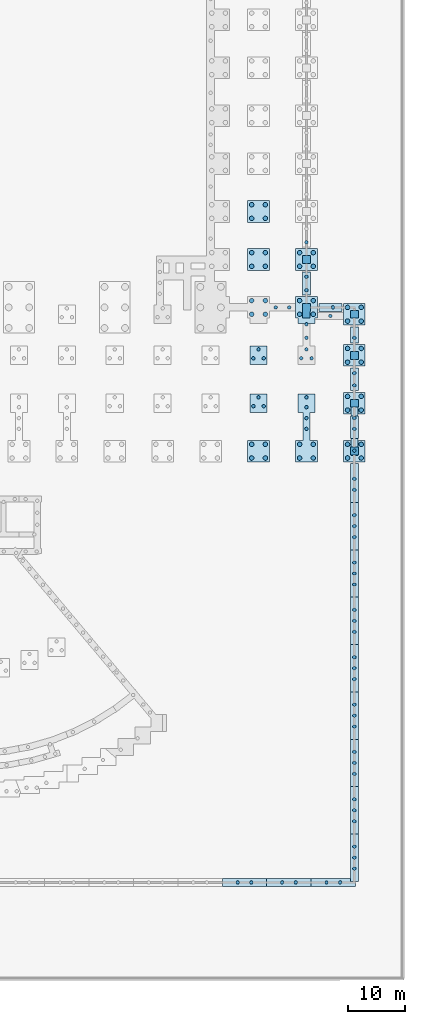
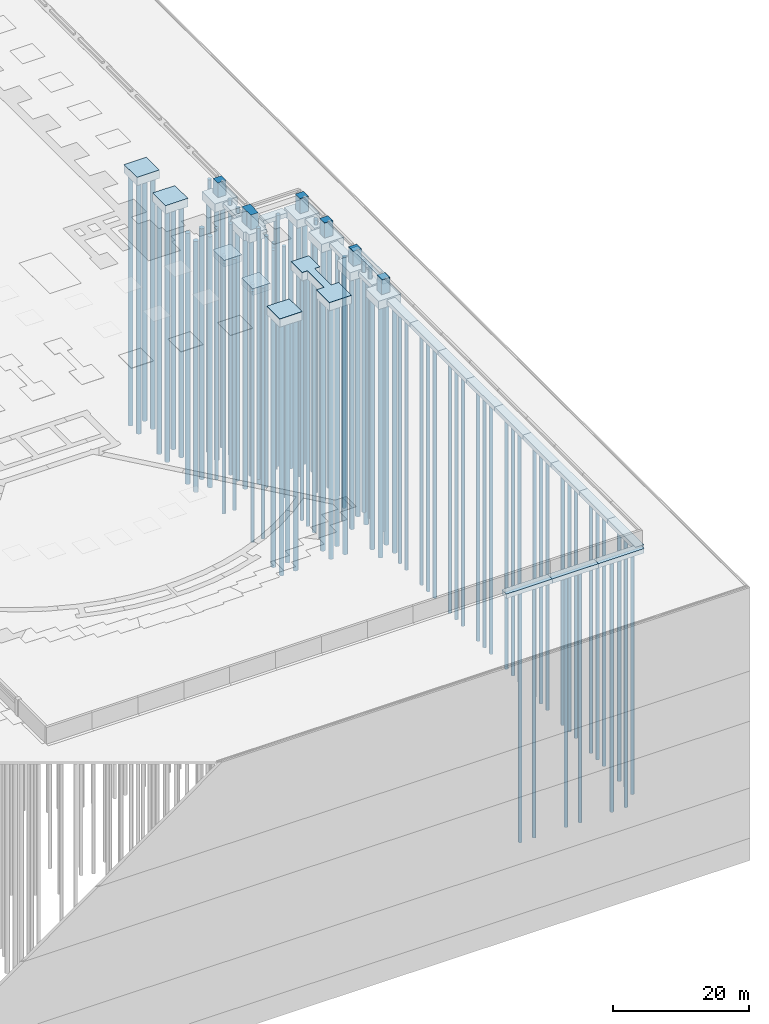
# One storey, part 19 of 67: 104 piles, 36 footings.
"""IFC4 building model written with IfcOpenShell, lengths in metres."""

from ifc_helpers import new_model, si_unit, direction, frame, origin, origin_2d, place, context, subcontext, project, spatial, polyline, circle, outline, extrude, material, material_profile, profile_set, type_object, element, save


model = new_model("IFC4")

# Units and contexts
model_context = context("Model", 3, precision=1e-05, world=origin(), true_north=direction((0.0, 1.0)))
body_context = subcontext(model_context, "Body", "Model", "MODEL_VIEW")
ifc_project = project(units=[si_unit("LENGTHUNIT", "METRE"), si_unit("AREAUNIT", "SQUARE_METRE"), si_unit("VOLUMEUNIT", "CUBIC_METRE"), si_unit("PLANEANGLEUNIT", "RADIAN"), si_unit("MASSUNIT", "GRAM", prefix="KILO")], contexts=[model_context])

# Site, building, storey
site_placement = place(None, origin())
site = spatial("IfcSite", under=ifc_project, at=site_placement, CompositionType="ELEMENT")
building_placement = place(site_placement, origin())
building = spatial("IfcBuilding", under=site, at=building_placement, Name="Rain Tree Exposition and Congress Centre", CompositionType="ELEMENT")
storey_placement = place(building_placement, frame((0.0, 0.0, -3.0)))
storey = spatial("IfcBuildingStorey", under=building, at=storey_placement, Name="B1", CompositionType="ELEMENT", Elevation=-3.0)

# Piles
ifc_material_1 = material(Name="Concrete C35/45", Category="concrete")
ifc_material_profile_1 = material_profile(ifc_material_1, circle(Radius=0.300048828125, at=origin_2d()), Name="D600")
ifc_profile_set_1 = profile_set([ifc_material_profile_1], Name="Concrete C35/45")
pile_type_1 = type_object("IfcPileType", Name="Bored pile D600", PredefinedType="BORED", material=ifc_profile_set_1)
for number, where, z_axis, x_axis, name in (
    (1, (259.5, 91.88037109375, 0.92578125), (0.0, 0.0, -1.0), (1.0, 0.0, 0.0), "Bored pile 2090"),
    (2, (261.300048828125, 91.88037109375, 0.92578125), (0.0, 0.0, -1.0), (1.0, 0.0, 0.0), "Bored pile 2091"),
    (3, (260.39990234375, 93.439208984375, 0.92578125), (0.0, 0.0, -1.0), (1.0, 0.0, 0.0), "Bored pile 2092"),
    (4, (260.39990234375, 97.833251953125, 0.92578125), (0.0, 0.0, -1.0), (1.0, 0.0, 0.0), "Bored pile 2093"),
    (5, (260.39990234375, 95.466796875, 0.92578125), (0.0, 0.0, -1.0), (1.0, 0.0, 0.0), "Bored pile 2094"),
    (6, (268.800048828125, 95.466796875, 0.92578125), (0.0, 0.0, -1.0), (1.0, 0.0, 0.0), "Bored pile 2095"),
    (7, (264.60009765625, 99.300048828125, 0.92578125), (0.0, 0.0, -1.0), (1.0, 0.0, 0.0), "Bored pile 2096"),
    (8, (255.0166015625, 100.800048828125, 0.92578125), (0.0, 0.0, -1.0), (1.0, 0.0, 0.0), "Bored pile 2100"),
    (9, (257.38330078125, 100.800048828125, 0.92578125), (0.0, 0.0, -1.0), (1.0, 0.0, 0.0), "Bored pile 2101"),
    (10, (260.39990234375, 103.816650390625, 0.92578125), (0.0, 0.0, -1.0), (1.0, 0.0, 0.0), "Bored pile 2102"),
    (11, (260.39990234375, 106.183349609375, 0.92578125), (0.0, 0.0, -1.0), (1.0, 0.0, 0.0), "Bored pile 2103"),
    (12, (260.39990234375, 112.216796875, 0.92578125), (0.0, 0.0, -1.0), (1.0, 0.0, 0.0), "Bored pile 2108"),
    (13, (260.39990234375, 79.5, 1.27490234375), (0.0, 0.0, -1.0), (1.0, 0.0, 0.0), "Bored pile 2374"),
    (14, (260.39990234375, 81.39990234375, 1.27490234375), (0.0, 0.0, -1.0), (1.0, 0.0, 0.0), "Bored pile 2375"),
    (15, (260.39990234375, 83.300048828125, 1.27490234375), (0.0, 0.0, -1.0), (1.0, 0.0, 0.0), "Bored pile 2376"),
    (16, (260.39990234375, 85.039306640625, 1.27490234375), (0.0, 0.0, -1.0), (1.0, 0.0, 0.0), "Bored pile 2377"),
    (17, (268.800048828125, 75.699951171875, 1.97509765625), (0.0, 0.0, -1.0), (1.0, 0.0, 0.0), "Bored pile 2394"),
    (18, (268.800048828125, 79.5, 1.97509765625), (0.0, 0.0, -1.0), (1.0, 0.0, 0.0), "Bored pile 2395"),
    (19, (268.800048828125, 81.39990234375, 1.97509765625), (0.0, 0.0, -1.0), (1.0, 0.0, 0.0), "Bored pile 2396"),
    (20, (251.10009765625, 83.480224609375, 1.574951171875), (0.0, 0.0, -1.0), (1.0, 0.0, 0.0), "Bored pile 2406"),
    (21, (252.89990234375, 83.480224609375, 1.574951171875), (0.0, 0.0, -1.0), (1.0, 0.0, 0.0), "Bored pile 2407"),
    (22, (252.0, 85.039306640625, 1.574951171875), (0.0, 0.0, -1.0), (1.0, 0.0, 0.0), "Bored pile 2408"),
    (23, (251.10009765625, 91.88037109375, 1.574951171875), (0.0, 0.0, -1.0), (1.0, 0.0, 0.0), "Bored pile 2418"),
    (24, (252.89990234375, 91.88037109375, 1.574951171875), (0.0, 0.0, -1.0), (1.0, 0.0, 0.0), "Bored pile 2419"),
    (25, (252.0, 93.439208984375, 1.574951171875), (0.0, 0.0, -1.0), (1.0, 0.0, 0.0), "Bored pile 2420"),
    (26, (265.050048828125, 100.800048828125, -0.72509765625), (0.0, 0.0, -1.0), (1.0, 0.0, 0.0), "Bored pile 2535"),
    (27, (268.800048828125, 89.2666015625, -0.72509765625), (0.0, 0.0, -1.0), (1.0, 0.0, 0.0), "Bored pile 2536"),
    (28, (268.800048828125, 87.13330078125, -0.72509765625), (0.0, 0.0, -1.0), (1.0, 0.0, 0.0), "Bored pile 2537"),
    (29, (268.800048828125, 70.75, -0.72509765625), (0.0, 0.0, -1.0), (1.0, 0.0, 0.0), "Bored pile 2538"),
    (30, (268.800048828125, 68.824951171875, -0.72509765625), (0.0, 0.0, -1.0), (1.0, 0.0, 0.0), "Bored pile 2539"),
    (31, (268.800048828125, 64.375, -0.72509765625), (0.0, 0.0, -1.0), (1.0, 0.0, 0.0), "Bored pile 2540"),
    (32, (268.800048828125, 62.449951171875, -0.72509765625), (0.0, 0.0, -1.0), (1.0, 0.0, 0.0), "Bored pile 2541"),
    (33, (268.800048828125, 60.52490234375, -0.72509765625), (0.0, 0.0, -1.0), (1.0, 0.0, 0.0), "Bored pile 2542"),
    (34, (268.800048828125, 56.074951171875, -0.72509765625), (0.0, 0.0, -1.0), (1.0, 0.0, 0.0), "Bored pile 2543"),
    (35, (268.800048828125, 54.14990234375, -0.72509765625), (0.0, 0.0, -1.0), (1.0, 0.0, 0.0), "Bored pile 2544"),
    (36, (268.800048828125, 52.22509765625, -0.72509765625), (0.0, 0.0, -1.0), (1.0, 0.0, 0.0), "Bored pile 2545"),
    (37, (268.800048828125, 47.77490234375, -0.72509765625), (0.0, 0.0, -1.0), (1.0, 0.0, 0.0), "Bored pile 2546"),
    (38, (268.800048828125, 45.85009765625, -0.72509765625), (0.0, 0.0, -1.0), (1.0, 0.0, 0.0), "Bored pile 2547"),
    (39, (268.800048828125, 43.925048828125, -0.72509765625), (0.0, 0.0, -1.0), (1.0, 0.0, 0.0), "Bored pile 2548"),
    (40, (268.800048828125, 39.47509765625, -0.72509765625), (0.0, 0.0, -1.0), (1.0, 0.0, 0.0), "Bored pile 2549"),
    (41, (268.800048828125, 37.550048828125, -0.72509765625), (0.0, 0.0, -1.0), (1.0, 0.0, 0.0), "Bored pile 2550"),
    (42, (268.800048828125, 35.625, -0.72509765625), (0.0, 0.0, -1.0), (1.0, 0.0, 0.0), "Bored pile 2551"),
    (43, (268.800048828125, 31.175048828125, -0.72509765625), (0.0, 0.0, -1.0), (1.0, 0.0, 0.0), "Bored pile 2552"),
    (44, (268.800048828125, 29.25, -0.72509765625), (0.0, 0.0, -1.0), (1.0, 0.0, 0.0), "Bored pile 2553"),
    (45, (268.800048828125, 27.324951171875, -0.72509765625), (0.0, 0.0, -1.0), (1.0, 0.0, 0.0), "Bored pile 2554"),
    (46, (268.800048828125, 22.875, -0.72509765625), (0.0, 0.0, -1.0), (1.0, 0.0, 0.0), "Bored pile 2555"),
    (47, (268.800048828125, 20.949951171875, -0.72509765625), (0.0, 0.0, -1.0), (1.0, 0.0, 0.0), "Bored pile 2556"),
    (48, (268.800048828125, 19.02490234375, -0.72509765625), (0.0, 0.0, -1.0), (1.0, 0.0, 0.0), "Bored pile 2557"),
    (49, (268.800048828125, 14.574951171875, -0.72509765625), (0.0, 0.0, -1.0), (1.0, 0.0, 0.0), "Bored pile 2558"),
    (50, (268.800048828125, 12.64990234375, -0.72509765625), (0.0, 0.0, -1.0), (1.0, 0.0, 0.0), "Bored pile 2559"),
    (51, (268.800048828125, 10.72509765625, -0.72509765625), (0.0, 0.0, -1.0), (1.0, 0.0, 0.0), "Bored pile 2560"),
    (52, (268.800048828125, 6.27490234375, -0.72509765625), (0.0, 0.0, -1.0), (1.0, 0.0, 0.0), "Bored pile 2561"),
    (53, (268.800048828125, 4.35009765625, -0.72509765625), (0.0, 0.0, -1.0), (1.0, 0.0, 0.0), "Bored pile 2562"),
    (54, (268.800048828125, 2.425048828125, -0.72509765625), (0.0, 0.0, -1.0), (1.0, 0.0, 0.0), "Bored pile 2563"),
    (55, (266.30517578125, 0.0, -0.72509765625), (0.0, 0.0, -1.0), (1.0, 0.0, 0.0), "Bored pile 2564"),
    (56, (263.910400390625, 0.0, -0.72509765625), (0.0, 0.0, -1.0), (1.0, 0.0, 0.0), "Bored pile 2565"),
    (57, (258.5205078125, 0.0, -0.72509765625), (0.0, 0.0, -1.0), (1.0, 0.0, 0.0), "Bored pile 2566"),
    (58, (256.12548828125, 0.0, -0.72509765625), (0.0, 0.0, -1.0), (1.0, 0.0, 0.0), "Bored pile 2567"),
    (59, (250.73583984375, 0.0, -0.72509765625), (0.0, 0.0, -1.0), (1.0, 0.0, 0.0), "Bored pile 2568"),
    (60, (248.341064453125, 0.0, -0.72509765625), (0.0, 0.0, -1.0), (1.0, 0.0, 0.0), "Bored pile 2569"),
):
    element("IfcPile", number, at=place(storey_placement, frame(where, z_axis=z_axis, x_axis=x_axis)), inside=storey, type_object=pile_type_1, Name=name, PredefinedType="BORED", context=body_context, shape_type="SweptSolid", body=[
        extrude(circle(Radius=0.300048828125, at=origin_2d()), origin(), (0.0, 0.0, 1.0), 45.074951171875),
    ])
ifc_material_2 = material(Name="Concrete C35/45", Category="concrete")
ifc_material_profile_2 = material_profile(ifc_material_2, circle(Radius=0.39990234375, at=origin_2d()), Name="D800")
ifc_profile_set_2 = profile_set([ifc_material_profile_2], Name="Concrete C35/45")
pile_type_2 = type_object("IfcPileType", Name="Bored pile D800", PredefinedType="BORED", material=ifc_profile_set_2)
for number, where, z_axis, x_axis, name in (
    (61, (267.60009765625, 74.39990234375, -1.425048828125), (0.0, 0.0, -1.0), (1.0, 0.0, 0.0), "Bored pile 1314"),
    (62, (270.0, 74.39990234375, -1.425048828125), (0.0, 0.0, -1.0), (1.0, 0.0, 0.0), "Bored pile 1315"),
    (63, (267.60009765625, 76.800048828125, -1.425048828125), (0.0, 0.0, -1.0), (1.0, 0.0, 0.0), "Bored pile 1316"),
    (64, (270.0, 76.800048828125, -1.425048828125), (0.0, 0.0, -1.0), (1.0, 0.0, 0.0), "Bored pile 1317"),
    (65, (267.60009765625, 82.800048828125, -1.425048828125), (0.0, 0.0, -1.0), (1.0, 0.0, 0.0), "Bored pile 1318"),
    (66, (270.0, 82.800048828125, -1.425048828125), (0.0, 0.0, -1.0), (1.0, 0.0, 0.0), "Bored pile 1319"),
    (67, (267.60009765625, 85.199951171875, -1.425048828125), (0.0, 0.0, -1.0), (1.0, 0.0, 0.0), "Bored pile 1320"),
    (68, (270.0, 85.199951171875, -1.425048828125), (0.0, 0.0, -1.0), (1.0, 0.0, 0.0), "Bored pile 1321"),
    (69, (267.60009765625, 91.199951171875, -1.425048828125), (0.0, 0.0, -1.0), (1.0, 0.0, 0.0), "Bored pile 1322"),
    (70, (270.0, 91.199951171875, -1.425048828125), (0.0, 0.0, -1.0), (1.0, 0.0, 0.0), "Bored pile 1323"),
    (71, (267.60009765625, 93.60009765625, -1.425048828125), (0.0, 0.0, -1.0), (1.0, 0.0, 0.0), "Bored pile 1324"),
    (72, (270.0, 93.60009765625, -1.425048828125), (0.0, 0.0, -1.0), (1.0, 0.0, 0.0), "Bored pile 1325"),
    (73, (259.199951171875, 99.60009765625, -1.425048828125), (0.0, 0.0, -1.0), (1.0, 0.0, 0.0), "Bored pile 1326"),
    (74, (261.60009765625, 99.60009765625, -1.425048828125), (0.0, 0.0, -1.0), (1.0, 0.0, 0.0), "Bored pile 1327"),
    (75, (259.199951171875, 102.0, -1.425048828125), (0.0, 0.0, -1.0), (1.0, 0.0, 0.0), "Bored pile 1328"),
    (76, (261.60009765625, 102.0, -1.425048828125), (0.0, 0.0, -1.0), (1.0, 0.0, 0.0), "Bored pile 1329"),
    (77, (267.60009765625, 98.39990234375, -1.425048828125), (0.0, 0.0, -1.0), (1.0, 0.0, 0.0), "Bored pile 1330"),
    (78, (270.0, 98.39990234375, -1.425048828125), (0.0, 0.0, -1.0), (1.0, 0.0, 0.0), "Bored pile 1331"),
    (79, (267.60009765625, 100.800048828125, -1.425048828125), (0.0, 0.0, -1.0), (1.0, 0.0, 0.0), "Bored pile 1332"),
    (80, (270.0, 100.800048828125, -1.425048828125), (0.0, 0.0, -1.0), (1.0, 0.0, 0.0), "Bored pile 1333"),
    (81, (259.199951171875, 108.0, -1.425048828125), (0.0, 0.0, -1.0), (1.0, 0.0, 0.0), "Bored pile 1334"),
    (82, (261.60009765625, 108.0, -1.425048828125), (0.0, 0.0, -1.0), (1.0, 0.0, 0.0), "Bored pile 1335"),
    (83, (259.199951171875, 110.39990234375, -1.425048828125), (0.0, 0.0, -1.0), (1.0, 0.0, 0.0), "Bored pile 1336"),
    (84, (261.60009765625, 110.39990234375, -1.425048828125), (0.0, 0.0, -1.0), (1.0, 0.0, 0.0), "Bored pile 1337"),
    (85, (250.800048828125, 108.0, 1.22509765625), (0.0, 0.0, -1.0), (1.0, 0.0, 0.0), "Bored pile 1569"),
    (86, (253.199951171875, 108.0, 1.22509765625), (0.0, 0.0, -1.0), (1.0, 0.0, 0.0), "Bored pile 1570"),
    (87, (250.800048828125, 110.39990234375, 1.22509765625), (0.0, 0.0, -1.0), (1.0, 0.0, 0.0), "Bored pile 1571"),
    (88, (253.199951171875, 110.39990234375, 1.22509765625), (0.0, 0.0, -1.0), (1.0, 0.0, 0.0), "Bored pile 1572"),
    (89, (250.800048828125, 116.39990234375, 1.22509765625), (0.0, 0.0, -1.0), (1.0, 0.0, 0.0), "Bored pile 1573"),
    (90, (253.199951171875, 116.39990234375, 1.22509765625), (0.0, 0.0, -1.0), (1.0, 0.0, 0.0), "Bored pile 1574"),
    (91, (250.800048828125, 118.800048828125, 1.22509765625), (0.0, 0.0, -1.0), (1.0, 0.0, 0.0), "Bored pile 1575"),
    (92, (253.199951171875, 118.800048828125, 1.22509765625), (0.0, 0.0, -1.0), (1.0, 0.0, 0.0), "Bored pile 1576"),
    (93, (250.800048828125, 99.60009765625, 0.92578125), (0.0, 0.0, -1.0), (1.0, 0.0, 0.0), "Bored pile 2042"),
    (94, (253.199951171875, 99.60009765625, 0.92578125), (0.0, 0.0, -1.0), (1.0, 0.0, 0.0), "Bored pile 2043"),
    (95, (250.800048828125, 102.0, 0.92578125), (0.0, 0.0, -1.0), (1.0, 0.0, 0.0), "Bored pile 2044"),
    (96, (253.199951171875, 102.0, 0.92578125), (0.0, 0.0, -1.0), (1.0, 0.0, 0.0), "Bored pile 2045"),
    (97, (259.199951171875, 74.39990234375, 1.27490234375), (0.0, 0.0, -1.0), (1.0, 0.0, 0.0), "Bored pile 2370"),
    (98, (261.60009765625, 74.39990234375, 1.27490234375), (0.0, 0.0, -1.0), (1.0, 0.0, 0.0), "Bored pile 2371"),
    (99, (259.199951171875, 76.800048828125, 1.27490234375), (0.0, 0.0, -1.0), (1.0, 0.0, 0.0), "Bored pile 2372"),
    (100, (261.60009765625, 76.800048828125, 1.27490234375), (0.0, 0.0, -1.0), (1.0, 0.0, 0.0), "Bored pile 2373"),
    (101, (250.800048828125, 74.39990234375, 1.27490234375), (0.0, 0.0, -1.0), (1.0, 0.0, 0.0), "Bored pile 2378"),
    (102, (253.199951171875, 74.39990234375, 1.27490234375), (0.0, 0.0, -1.0), (1.0, 0.0, 0.0), "Bored pile 2379"),
    (103, (250.800048828125, 76.800048828125, 1.27490234375), (0.0, 0.0, -1.0), (1.0, 0.0, 0.0), "Bored pile 2380"),
    (104, (253.199951171875, 76.800048828125, 1.27490234375), (0.0, 0.0, -1.0), (1.0, 0.0, 0.0), "Bored pile 2381"),
):
    element("IfcPile", number, at=place(storey_placement, frame(where, z_axis=z_axis, x_axis=x_axis)), inside=storey, type_object=pile_type_2, Name=name, PredefinedType="BORED", context=body_context, shape_type="SweptSolid", body=[
        extrude(circle(Radius=0.39990234375, at=origin_2d()), origin(), (0.0, 0.0, 1.0), 45.074951171875),
    ])

# Footings
ifc_material_3 = material(Name="Concrete C35/45", Category="concrete")
footing_type_1 = type_object("IfcFootingType", Name="Pier cap 2650 thick", PredefinedType="PILE_CAP", material=ifc_material_3)
footing_1_placement = place(storey_placement, origin())
element("IfcFooting", 105, at=footing_1_placement, inside=storey, type_object=footing_type_1, Name="Pier cap 003", PredefinedType="PILE_CAP", context=body_context, shape_type="SweptSolid", body=[
    extrude(outline(polyline([(261.050048828125, 98.949951171875), (261.050048828125, 100.10009765625), (261.10009765625, 100.10009765625), (261.10009765625, 101.5), (259.699951171875, 101.5), (259.699951171875, 100.10009765625), (259.75, 100.10009765625), (259.75, 98.949951171875), (261.050048828125, 98.949951171875)])), origin(), (0.0, 0.0, 1.0), 2.64990234375),
])
footing_2_placement = place(storey_placement, origin())
element("IfcFooting", 106, at=footing_2_placement, inside=storey, type_object=footing_type_1, Name="Pier cap 004", PredefinedType="PILE_CAP", context=body_context, shape_type="SweptSolid", body=[
    extrude(outline(polyline([(259.699951171875, 109.89990234375), (259.699951171875, 108.5), (261.10009765625, 108.5), (261.10009765625, 109.89990234375), (259.699951171875, 109.89990234375)])), origin(), (0.0, 0.0, 1.0), 2.64990234375),
])
ifc_material_4 = material(Name="Concrete C35/45", Category="concrete")
footing_type_2 = type_object("IfcFootingType", Name="Pier cap 2700 thick", PredefinedType="PILE_CAP", material=ifc_material_4)
footing_3_placement = place(storey_placement, origin())
element("IfcFooting", 107, at=footing_3_placement, inside=storey, type_object=footing_type_2, Name="Pier cap 050", PredefinedType="PILE_CAP", context=body_context, shape_type="SweptSolid", body=[
    extrude(outline(polyline([(268.10009765625, 76.300048828125), (268.10009765625, 74.89990234375), (269.5, 74.89990234375), (269.5, 76.300048828125), (268.10009765625, 76.300048828125)])), origin(), (0.0, 0.0, 1.0), 2.699951171875),
])
footing_4_placement = place(storey_placement, origin())
element("IfcFooting", 108, at=footing_4_placement, inside=storey, type_object=footing_type_2, Name="Pier cap 055", PredefinedType="PILE_CAP", context=body_context, shape_type="SweptSolid", body=[
    extrude(outline(polyline([(268.10009765625, 84.699951171875), (268.10009765625, 83.300048828125), (269.5, 83.300048828125), (269.5, 84.699951171875), (268.10009765625, 84.699951171875)])), origin(), (0.0, 0.0, 1.0), 2.699951171875),
])
footing_5_placement = place(storey_placement, origin())
element("IfcFooting", 109, at=footing_5_placement, inside=storey, type_object=footing_type_2, Name="Pier cap 057", PredefinedType="PILE_CAP", context=body_context, shape_type="SweptSolid", body=[
    extrude(outline(polyline([(268.10009765625, 93.10009765625), (268.10009765625, 91.699951171875), (269.5, 91.699951171875), (269.5, 93.10009765625), (268.10009765625, 93.10009765625)])), origin(), (0.0, 0.0, 1.0), 2.699951171875),
])
footing_6_placement = place(storey_placement, origin())
element("IfcFooting", 110, at=footing_6_placement, inside=storey, type_object=footing_type_2, Name="Pier cap 059", PredefinedType="PILE_CAP", context=body_context, shape_type="SweptSolid", body=[
    extrude(outline(polyline([(268.10009765625, 100.300048828125), (268.10009765625, 98.89990234375), (269.5, 98.89990234375), (269.5, 100.300048828125), (268.10009765625, 100.300048828125)])), origin(), (0.0, 0.0, 1.0), 2.699951171875),
])
ifc_material_5 = material(Name="Concrete C35/45", Category="concrete")
footing_type_3 = type_object("IfcFootingType", Name="Pile cap 1200 thick", PredefinedType="PILE_CAP", material=ifc_material_5)
footing_7_placement = place(storey_placement, frame((0.0, 0.0, 1.5)))
element("IfcFooting", 111, at=footing_7_placement, inside=storey, type_object=footing_type_3, Name="Pile cap 372", PredefinedType="PILE_CAP", context=body_context, shape_type="SweptSolid", body=[
    extrude(outline(polyline([(253.5, 82.360595703125), (253.5, 85.639404296875), (250.5, 85.639404296875), (250.5, 82.360595703125), (253.5, 82.360595703125)])), origin(), (0.0, 0.0, 1.0), 1.199951171875),
])
footing_8_placement = place(storey_placement, frame((0.0, 0.0, 1.5)))
element("IfcFooting", 112, at=footing_8_placement, inside=storey, type_object=footing_type_3, Name="Pile cap 376", PredefinedType="PILE_CAP", context=body_context, shape_type="SweptSolid", body=[
    extrude(outline(polyline([(253.5, 90.7607421875), (253.5, 94.039306640625), (250.5, 94.039306640625), (250.5, 90.7607421875), (253.5, 90.7607421875)])), origin(), (0.0, 0.0, 1.0), 1.199951171875),
])
ifc_material_6 = material(Name="Concrete C35/45", Category="concrete")
footing_type_4 = type_object("IfcFootingType", Name="Pile cap 1500 thick", PredefinedType="PILE_CAP", material=ifc_material_6)
footing_9_placement = place(storey_placement, frame((0.0, 0.0, -1.5)))
element("IfcFooting", 113, at=footing_9_placement, inside=storey, type_object=footing_type_4, Name="Pile cap 258", PredefinedType="PILE_CAP", context=body_context, shape_type="SweptSolid", body=[
    extrude(outline(polyline([(270.699951171875, 73.699951171875), (270.699951171875, 77.5), (266.89990234375, 77.5), (266.89990234375, 73.699951171875), (270.699951171875, 73.699951171875)])), origin(), (0.0, 0.0, 1.0), 1.5),
])
footing_10_placement = place(storey_placement, frame((0.0, 0.0, -1.5)))
element("IfcFooting", 114, at=footing_10_placement, inside=storey, type_object=footing_type_4, Name="Pile cap 259", PredefinedType="PILE_CAP", context=body_context, shape_type="SweptSolid", body=[
    extrude(outline(polyline([(270.699951171875, 82.10009765625), (270.699951171875, 85.89990234375), (266.89990234375, 85.89990234375), (266.89990234375, 82.10009765625), (270.699951171875, 82.10009765625)])), origin(), (0.0, 0.0, 1.0), 1.5),
])
footing_11_placement = place(storey_placement, frame((0.0, 0.0, -1.5)))
element("IfcFooting", 115, at=footing_11_placement, inside=storey, type_object=footing_type_4, Name="Pile cap 260", PredefinedType="PILE_CAP", context=body_context, shape_type="SweptSolid", body=[
    extrude(outline(polyline([(270.699951171875, 90.5), (270.699951171875, 94.300048828125), (266.89990234375, 94.300048828125), (266.89990234375, 90.5), (270.699951171875, 90.5)])), origin(), (0.0, 0.0, 1.0), 1.5),
])
footing_12_placement = place(storey_placement, frame((0.0, 0.0, -1.5)))
element("IfcFooting", 116, at=footing_12_placement, inside=storey, type_object=footing_type_4, Name="Pile cap 261", PredefinedType="PILE_CAP", context=body_context, shape_type="SweptSolid", body=[
    extrude(outline(polyline([(261.89990234375, 97.960693359375), (261.89990234375, 98.89990234375), (262.300048828125, 98.89990234375), (262.300048828125, 102.699951171875), (258.5, 102.699951171875), (258.5, 98.89990234375), (258.89990234375, 98.89990234375), (258.89990234375, 97.960693359375), (261.89990234375, 97.960693359375)])), origin(), (0.0, 0.0, 1.0), 1.5),
])
footing_13_placement = place(storey_placement, frame((0.0, 0.0, -1.5)))
element("IfcFooting", 117, at=footing_13_placement, inside=storey, type_object=footing_type_4, Name="Pile cap 262", PredefinedType="PILE_CAP", context=body_context, shape_type="SweptSolid", body=[
    extrude(outline(polyline([(270.699951171875, 97.699951171875), (270.699951171875, 101.5), (266.89990234375, 101.5), (266.89990234375, 97.699951171875), (270.699951171875, 97.699951171875)])), origin(), (0.0, 0.0, 1.0), 1.5),
])
footing_14_placement = place(storey_placement, frame((0.0, 0.0, -1.5)))
element("IfcFooting", 118, at=footing_14_placement, inside=storey, type_object=footing_type_4, Name="Pile cap 263", PredefinedType="PILE_CAP", context=body_context, shape_type="SweptSolid", body=[
    extrude(outline(polyline([(262.300048828125, 107.300048828125), (262.300048828125, 111.10009765625), (258.5, 111.10009765625), (258.5, 107.300048828125), (262.300048828125, 107.300048828125)])), origin(), (0.0, 0.0, 1.0), 1.5),
])
footing_15_placement = place(storey_placement, frame((0.0, 0.0, 1.14990234375)))
element("IfcFooting", 119, at=footing_15_placement, inside=storey, type_object=footing_type_4, Name="Pile cap 298", PredefinedType="PILE_CAP", context=body_context, shape_type="SweptSolid", body=[
    extrude(outline(polyline([(253.89990234375, 107.300048828125), (253.89990234375, 111.10009765625), (250.10009765625, 111.10009765625), (250.10009765625, 107.300048828125), (253.89990234375, 107.300048828125)])), origin(), (0.0, 0.0, 1.0), 1.5),
])
footing_16_placement = place(storey_placement, frame((0.0, 0.0, 1.14990234375)))
element("IfcFooting", 120, at=footing_16_placement, inside=storey, type_object=footing_type_4, Name="Pile cap 299", PredefinedType="PILE_CAP", context=body_context, shape_type="SweptSolid", body=[
    extrude(outline(polyline([(253.89990234375, 115.699951171875), (253.89990234375, 119.5), (250.10009765625, 119.5), (250.10009765625, 115.699951171875), (253.89990234375, 115.699951171875)])), origin(), (0.0, 0.0, 1.0), 1.5),
])
footing_17_placement = place(storey_placement, frame((0.0, 0.0, 1.199951171875)))
element("IfcFooting", 121, at=footing_17_placement, inside=storey, type_object=footing_type_4, Name="Pile cap 365", PredefinedType="PILE_CAP", context=body_context, shape_type="SweptSolid", body=[
    extrude(outline(polyline([(253.89990234375, 73.699951171875), (253.89990234375, 77.5), (250.10009765625, 77.5), (250.10009765625, 73.699951171875), (253.89990234375, 73.699951171875)])), origin(), (0.0, 0.0, 1.0), 1.5),
])
ifc_material_7 = material(Name="Concrete C35/45", Category="concrete")
footing_type_5 = type_object("IfcFootingType", Name="Strip footing 1500 thick", PredefinedType="STRIP_FOOTING", material=ifc_material_7)
footing_18_placement = place(storey_placement, frame((0.0, 0.0, 1.199951171875)))
element("IfcFooting", 122, at=footing_18_placement, inside=storey, type_object=footing_type_5, Name="Strip footing 101", PredefinedType="STRIP_FOOTING", context=body_context, shape_type="SweptSolid", body=[
    extrude(outline(polyline([(262.300048828125, 77.5), (261.0, 77.5), (261.0, 82.360595703125), (261.89990234375, 82.360595703125), (261.89990234375, 85.639404296875), (258.89990234375, 85.639404296875), (258.89990234375, 82.360595703125), (259.800048828125, 82.360595703125), (259.800048828125, 77.5), (258.5, 77.5), (258.5, 73.699951171875), (262.300048828125, 73.699951171875), (262.300048828125, 77.5)])), origin(), (0.0, 0.0, 1.0), 1.5),
])
ifc_material_8 = material(Name="Concrete C35/45", Category="concrete")
footing_type_6 = type_object("IfcFootingType", Name="Strip footing 800 thick", PredefinedType="STRIP_FOOTING", material=ifc_material_8)
footing_19_placement = place(storey_placement, frame((0.0, 0.0, 1.89990234375)))
element("IfcFooting", 123, at=footing_19_placement, inside=storey, type_object=footing_type_6, Name="Strip footing 102", PredefinedType="STRIP_FOOTING", context=body_context, shape_type="SweptSolid", body=[
    extrude(outline(polyline([(268.199951171875, 83.60009765625), (268.199951171875, 74.800048828125), (269.39990234375, 74.800048828125), (269.39990234375, 75.39990234375), (269.39990234375, 84.199951171875), (268.199951171875, 84.199951171875), (268.199951171875, 83.60009765625)])), origin(), (0.0, 0.0, 1.0), 0.800048828125),
])
footing_20_placement = place(storey_placement, frame((0.0, 0.0, -0.800048828125)))
element("IfcFooting", 124, at=footing_20_placement, inside=storey, type_object=footing_type_6, Name="Strip footing 191", PredefinedType="STRIP_FOOTING", context=body_context, shape_type="SweptSolid", body=[
    extrude(outline(polyline([(261.10009765625, 107.0), (259.699951171875, 107.0), (259.699951171875, 103.0), (261.10009765625, 103.0), (261.10009765625, 107.0)])), origin(), (0.0, 0.0, 1.0), 0.800048828125),
])
footing_21_placement = place(storey_placement, frame((0.0, 0.0, -0.800048828125)))
element("IfcFooting", 125, at=footing_21_placement, inside=storey, type_object=footing_type_6, Name="Strip footing 192", PredefinedType="STRIP_FOOTING", context=body_context, shape_type="SweptSolid", body=[
    extrude(outline(polyline([(262.60009765625, 101.5), (262.60009765625, 100.10009765625), (266.60009765625, 100.10009765625), (266.60009765625, 101.5), (262.60009765625, 101.5)])), origin(), (0.0, 0.0, 1.0), 0.800048828125),
])
footing_22_placement = place(storey_placement, frame((0.0, 0.0, -0.800048828125)))
element("IfcFooting", 126, at=footing_22_placement, inside=storey, type_object=footing_type_6, Name="Strip footing 193", PredefinedType="STRIP_FOOTING", context=body_context, shape_type="SweptSolid", body=[
    extrude(outline(polyline([(269.5, 97.39990234375), (268.10009765625, 97.39990234375), (268.10009765625, 94.60009765625), (269.5, 94.60009765625), (269.5, 97.39990234375)])), origin(), (0.0, 0.0, 1.0), 0.800048828125),
])
footing_23_placement = place(storey_placement, frame((0.0, 0.0, -0.800048828125)))
element("IfcFooting", 127, at=footing_23_placement, inside=storey, type_object=footing_type_6, Name="Strip footing 194", PredefinedType="STRIP_FOOTING", context=body_context, shape_type="SweptSolid", body=[
    extrude(outline(polyline([(269.5, 90.199951171875), (268.10009765625, 90.199951171875), (268.10009765625, 86.199951171875), (269.5, 86.199951171875), (269.5, 90.199951171875)])), origin(), (0.0, 0.0, 1.0), 0.800048828125),
])
footing_24_placement = place(storey_placement, frame((0.0, 0.0, -0.800048828125)))
element("IfcFooting", 128, at=footing_24_placement, inside=storey, type_object=footing_type_6, Name="Strip footing 195", PredefinedType="STRIP_FOOTING", context=body_context, shape_type="SweptSolid", body=[
    extrude(outline(polyline([(269.5, 81.800048828125), (268.10009765625, 81.800048828125), (268.10009765625, 77.800048828125), (269.5, 77.800048828125), (269.5, 81.800048828125)])), origin(), (0.0, 0.0, 1.0), 0.800048828125),
])
footing_25_placement = place(storey_placement, frame((0.0, 0.0, -0.800048828125)))
element("IfcFooting", 129, at=footing_25_placement, inside=storey, type_object=footing_type_6, Name="Strip footing 196", PredefinedType="STRIP_FOOTING", context=body_context, shape_type="SweptSolid", body=[
    extrude(outline(polyline([(268.10009765625, 73.39990234375), (268.10009765625, 66.60009765625), (269.5, 66.60009765625), (269.5, 73.39990234375), (268.10009765625, 73.39990234375)])), origin(), (0.0, 0.0, 1.0), 0.800048828125),
])
footing_26_placement = place(storey_placement, frame((0.0, 0.0, -0.800048828125)))
element("IfcFooting", 130, at=footing_26_placement, inside=storey, type_object=footing_type_6, Name="Strip footing 197", PredefinedType="STRIP_FOOTING", context=body_context, shape_type="SweptSolid", body=[
    extrude(outline(polyline([(268.10009765625, 66.60009765625), (268.10009765625, 58.300048828125), (269.5, 58.300048828125), (269.5, 66.60009765625), (268.10009765625, 66.60009765625)])), origin(), (0.0, 0.0, 1.0), 0.800048828125),
])
footing_27_placement = place(storey_placement, frame((0.0, 0.0, -0.800048828125)))
element("IfcFooting", 131, at=footing_27_placement, inside=storey, type_object=footing_type_6, Name="Strip footing 198", PredefinedType="STRIP_FOOTING", context=body_context, shape_type="SweptSolid", body=[
    extrude(outline(polyline([(268.10009765625, 58.300048828125), (268.10009765625, 50.0), (269.5, 50.0), (269.5, 58.300048828125), (268.10009765625, 58.300048828125)])), origin(), (0.0, 0.0, 1.0), 0.800048828125),
])
footing_28_placement = place(storey_placement, frame((0.0, 0.0, -0.800048828125)))
element("IfcFooting", 132, at=footing_28_placement, inside=storey, type_object=footing_type_6, Name="Strip footing 199", PredefinedType="STRIP_FOOTING", context=body_context, shape_type="SweptSolid", body=[
    extrude(outline(polyline([(268.10009765625, 50.0), (268.10009765625, 41.699951171875), (269.5, 41.699951171875), (269.5, 50.0), (268.10009765625, 50.0)])), origin(), (0.0, 0.0, 1.0), 0.800048828125),
])
footing_29_placement = place(storey_placement, frame((0.0, 0.0, -0.800048828125)))
element("IfcFooting", 133, at=footing_29_placement, inside=storey, type_object=footing_type_6, Name="Strip footing 200", PredefinedType="STRIP_FOOTING", context=body_context, shape_type="SweptSolid", body=[
    extrude(outline(polyline([(268.10009765625, 41.699951171875), (268.10009765625, 33.39990234375), (269.5, 33.39990234375), (269.5, 41.699951171875), (268.10009765625, 41.699951171875)])), origin(), (0.0, 0.0, 1.0), 0.800048828125),
])
footing_30_placement = place(storey_placement, frame((0.0, 0.0, -0.800048828125)))
element("IfcFooting", 134, at=footing_30_placement, inside=storey, type_object=footing_type_6, Name="Strip footing 201", PredefinedType="STRIP_FOOTING", context=body_context, shape_type="SweptSolid", body=[
    extrude(outline(polyline([(268.10009765625, 33.39990234375), (268.10009765625, 25.10009765625), (269.5, 25.10009765625), (269.5, 33.39990234375), (268.10009765625, 33.39990234375)])), origin(), (0.0, 0.0, 1.0), 0.800048828125),
])
footing_31_placement = place(storey_placement, frame((0.0, 0.0, -0.800048828125)))
element("IfcFooting", 135, at=footing_31_placement, inside=storey, type_object=footing_type_6, Name="Strip footing 202", PredefinedType="STRIP_FOOTING", context=body_context, shape_type="SweptSolid", body=[
    extrude(outline(polyline([(268.10009765625, 25.10009765625), (268.10009765625, 16.800048828125), (269.5, 16.800048828125), (269.5, 25.10009765625), (268.10009765625, 25.10009765625)])), origin(), (0.0, 0.0, 1.0), 0.800048828125),
])
footing_32_placement = place(storey_placement, frame((0.0, 0.0, -0.800048828125)))
element("IfcFooting", 136, at=footing_32_placement, inside=storey, type_object=footing_type_6, Name="Strip footing 203", PredefinedType="STRIP_FOOTING", context=body_context, shape_type="SweptSolid", body=[
    extrude(outline(polyline([(268.10009765625, 16.800048828125), (268.10009765625, 8.5), (269.5, 8.5), (269.5, 16.800048828125), (268.10009765625, 16.800048828125)])), origin(), (0.0, 0.0, 1.0), 0.800048828125),
])
footing_33_placement = place(storey_placement, frame((0.0, 0.0, -0.800048828125)))
element("IfcFooting", 137, at=footing_33_placement, inside=storey, type_object=footing_type_6, Name="Strip footing 204", PredefinedType="STRIP_FOOTING", context=body_context, shape_type="SweptSolid", body=[
    extrude(outline(polyline([(268.10009765625, 8.5), (268.10009765625, 0.199951171875), (269.5, 0.199951171875), (269.5, 8.5), (268.10009765625, 8.5)])), origin(), (0.0, 0.0, 1.0), 0.800048828125),
])
footing_34_placement = place(storey_placement, frame((0.0, 0.0, -0.800048828125)))
element("IfcFooting", 138, at=footing_34_placement, inside=storey, type_object=footing_type_6, Name="Strip footing 205", PredefinedType="STRIP_FOOTING", context=body_context, shape_type="SweptSolid", body=[
    extrude(outline(polyline([(268.10009765625, 0.699951171875), (261.21533203125, 0.699951171875), (261.21533203125, -0.699951171875), (269.0, -0.699951171875), (269.0, 0.199951171875), (268.10009765625, 0.199951171875), (268.10009765625, 0.699951171875)])), origin(), (0.0, 0.0, 1.0), 0.800048828125),
])
footing_35_placement = place(storey_placement, frame((0.0, 0.0, -0.800048828125)))
element("IfcFooting", 139, at=footing_35_placement, inside=storey, type_object=footing_type_6, Name="Strip footing 206", PredefinedType="STRIP_FOOTING", context=body_context, shape_type="SweptSolid", body=[
    extrude(outline(polyline([(261.21533203125, 0.699951171875), (253.430908203125, 0.699951171875), (253.430908203125, -0.699951171875), (261.21533203125, -0.699951171875), (261.21533203125, 0.699951171875)])), origin(), (0.0, 0.0, 1.0), 0.800048828125),
])
footing_36_placement = place(storey_placement, frame((0.0, 0.0, -0.800048828125)))
element("IfcFooting", 140, at=footing_36_placement, inside=storey, type_object=footing_type_6, Name="Strip footing 207", PredefinedType="STRIP_FOOTING", context=body_context, shape_type="SweptSolid", body=[
    extrude(outline(polyline([(253.430908203125, 0.699951171875), (245.646240234375, 0.699951171875), (245.646240234375, -0.699951171875), (253.430908203125, -0.699951171875), (253.430908203125, 0.699951171875)])), origin(), (0.0, 0.0, 1.0), 0.800048828125),
])

save(model, "model.ifc")
